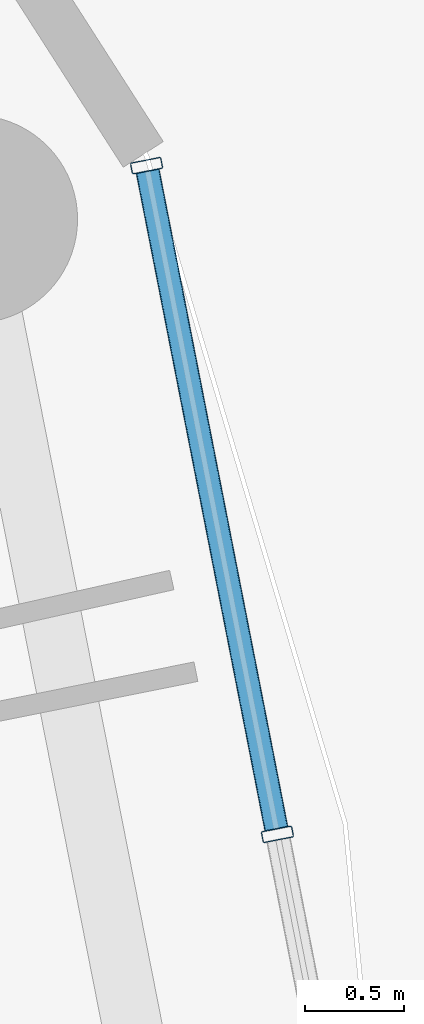
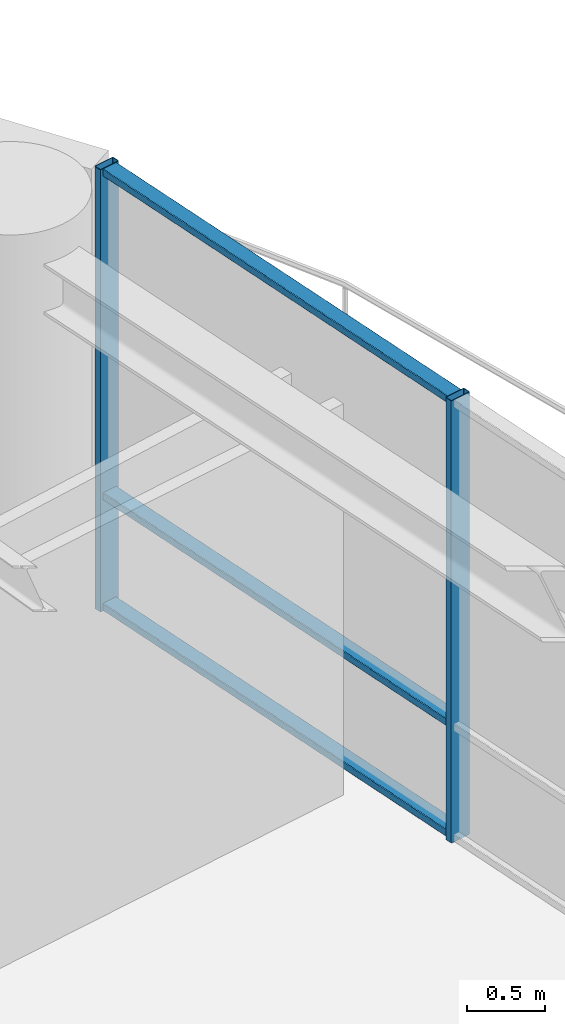
# One storey, part 16 of 31: 5 members, 1 element without a shape of its own.
"""IFC4 building model written with IfcOpenShell, lengths in metres."""

from ifc_helpers import new_model, si_unit, direction, frame, origin, origin_2d, place, context, subcontext, project, spatial, hollow_rectangle, extrude, material, layer, layer_set, material_profile, profile_set, type_object, element, aggregate, save


model = new_model("IFC4")

# Units and contexts
model_context = context("Model", 3, precision=1e-05, world=origin(), true_north=direction((0.0, 1.0)))
body_context = subcontext(model_context, "Body", "Model", "MODEL_VIEW")
ifc_project = project(units=[si_unit("LENGTHUNIT", "METRE"), si_unit("AREAUNIT", "SQUARE_METRE"), si_unit("VOLUMEUNIT", "CUBIC_METRE"), si_unit("PLANEANGLEUNIT", "RADIAN"), si_unit("MASSUNIT", "GRAM", prefix="KILO")], contexts=[model_context])

# Site, building, storey
site_placement = place(None, origin())
site = spatial("IfcSite", under=ifc_project, at=site_placement, CompositionType="ELEMENT")
building_placement = place(site_placement, origin())
building = spatial("IfcBuilding", under=site, at=building_placement, Name="Kelanora Arch Commons", CompositionType="ELEMENT")
storey_placement = place(building_placement, frame((0.0, 0.0, 200.699951171875)))
storey = spatial("IfcBuildingStorey", under=building, at=storey_placement, Name="L51", CompositionType="ELEMENT", Elevation=200.699951171875)

# Curtain wall, members
ifc_material_1 = material(Name="Terracotta ceramic-fritted low-E glass and aluminium", Category="masonry")
ifc_layer = layer(ifc_material_1, 0.175048828125)
ifc_layer_set = layer_set([ifc_layer], Name="Terracotta ceramic-fritted low-E glass and aluminium")
curtain_wall_type = type_object("IfcCurtainWallType", Name="CW-SYS-02", PredefinedType="NOTDEFINED", material=ifc_layer_set)
curtain_wall_placement = place(storey_placement, origin())
curtain_wall = element("IfcCurtainWall", 1, at=curtain_wall_placement, inside=storey, type_object=curtain_wall_type, Name="Unitised Curtain Wall L51-B00", PredefinedType="NOTDEFINED")
ifc_material_2 = material(Name="Powder-coated aluminium terracotta", Category="masonry")
ifc_material_profile_1 = material_profile(ifc_material_2, hollow_rectangle(XDim=0.159912109375, YDim=0.06005859375, WallThickness=0.0048828125, InnerFilletRadius=0.0048828125, OuterFilletRadius=0.010009765625, at=origin_2d()), Name="CWM160x60")
ifc_profile_set_1 = profile_set([ifc_material_profile_1], Name="Powder-coated aluminium terracotta")
member_type_1 = type_object("IfcMemberType", Name="CWM-STD", PredefinedType="MULLION", material=ifc_profile_set_1)
member_1_placement = place(storey_placement, frame((95.530517578125, 61.420166015625, 0.0), z_axis=(0.0, 0.0, 1.0), x_axis=(-0.981381438349, -0.192068926335, 0.0)))
member_1 = element("IfcMember", 2, at=member_1_placement, type_object=member_type_1, Name="CW-02 mullion 2", PredefinedType="MULLION", context=body_context, shape_type="SweptSolid", body=[
    extrude(hollow_rectangle(XDim=0.159912109375, YDim=0.06005859375, WallThickness=0.0048828125, InnerFilletRadius=0.0048828125, OuterFilletRadius=0.010009765625, at=origin_2d()), origin(), (0.0, 0.0, 1.0), 3.47509765625),
])
member_2_placement = place(storey_placement, frame((94.869873046875, 64.796142578125, 0.0), z_axis=(0.0, 0.0, 1.0), x_axis=(-0.981381438349, -0.192068926335, 0.0)))
member_2 = element("IfcMember", 3, at=member_2_placement, type_object=member_type_1, Name="CW-02 mullion 3", PredefinedType="MULLION", context=body_context, shape_type="SweptSolid", body=[
    extrude(hollow_rectangle(XDim=0.159912109375, YDim=0.06005859375, WallThickness=0.0048828125, InnerFilletRadius=0.0048828125, OuterFilletRadius=0.010009765625, at=origin_2d()), origin(), (0.0, 0.0, 1.0), 3.47509765625),
])
ifc_material_profile_2 = material_profile(ifc_material_2, hollow_rectangle(XDim=0.1201171875, YDim=0.06005859375, WallThickness=0.0048828125, InnerFilletRadius=0.0048828125, OuterFilletRadius=0.010009765625, at=origin_2d()), Name="CWT120x60")
ifc_profile_set_2 = profile_set([ifc_material_profile_2], Name="Powder-coated aluminium terracotta")
member_type_2 = type_object("IfcMemberType", Name="CWT-STD", PredefinedType="USERDEFINED", material=ifc_profile_set_2)
member_3_placement = place(storey_placement, frame((95.52490234375, 61.44970703125, 0.030029296875), z_axis=(-0.192058488005, 0.981383481207, 0.0), x_axis=(-0.981383481207, -0.192058488005, 0.0)))
member_3 = element("IfcMember", 4, at=member_3_placement, type_object=member_type_2, Name="CW-02 transom 2.1", ObjectType="TRANSOM", PredefinedType="USERDEFINED", context=body_context, shape_type="SweptSolid", body=[
    extrude(hollow_rectangle(XDim=0.1201171875, YDim=0.06005859375, WallThickness=0.0048828125, InnerFilletRadius=0.0048828125, OuterFilletRadius=0.010009765625, at=origin_2d()), origin(), (0.0, 0.0, 1.0), 3.380126953125),
])
member_4_placement = place(storey_placement, frame((95.52490234375, 61.44970703125, 0.900146484375), z_axis=(-0.192058488005, 0.981383481207, 0.0), x_axis=(-0.981383481207, -0.192058488005, 0.0)))
member_4 = element("IfcMember", 5, at=member_4_placement, type_object=member_type_2, Name="CW-02 transom 2.2", ObjectType="TRANSOM", PredefinedType="USERDEFINED", context=body_context, shape_type="SweptSolid", body=[
    extrude(hollow_rectangle(XDim=0.1201171875, YDim=0.06005859375, WallThickness=0.0048828125, InnerFilletRadius=0.0048828125, OuterFilletRadius=0.010009765625, at=origin_2d()), origin(), (0.0, 0.0, 1.0), 3.380126953125),
])
member_5_placement = place(storey_placement, frame((95.52490234375, 61.44970703125, 3.445068359375), z_axis=(-0.192058488005, 0.981383481207, 0.0), x_axis=(-0.981383481207, -0.192058488005, 0.0)))
member_5 = element("IfcMember", 6, at=member_5_placement, type_object=member_type_2, Name="CW-02 transom 2.3", ObjectType="TRANSOM", PredefinedType="USERDEFINED", context=body_context, shape_type="SweptSolid", body=[
    extrude(hollow_rectangle(XDim=0.1201171875, YDim=0.06005859375, WallThickness=0.0048828125, InnerFilletRadius=0.0048828125, OuterFilletRadius=0.010009765625, at=origin_2d()), origin(), (0.0, 0.0, 1.0), 3.380126953125),
])
aggregate(curtain_wall, [member_1, member_2, member_3, member_4, member_5])

save(model, "model.ifc")
